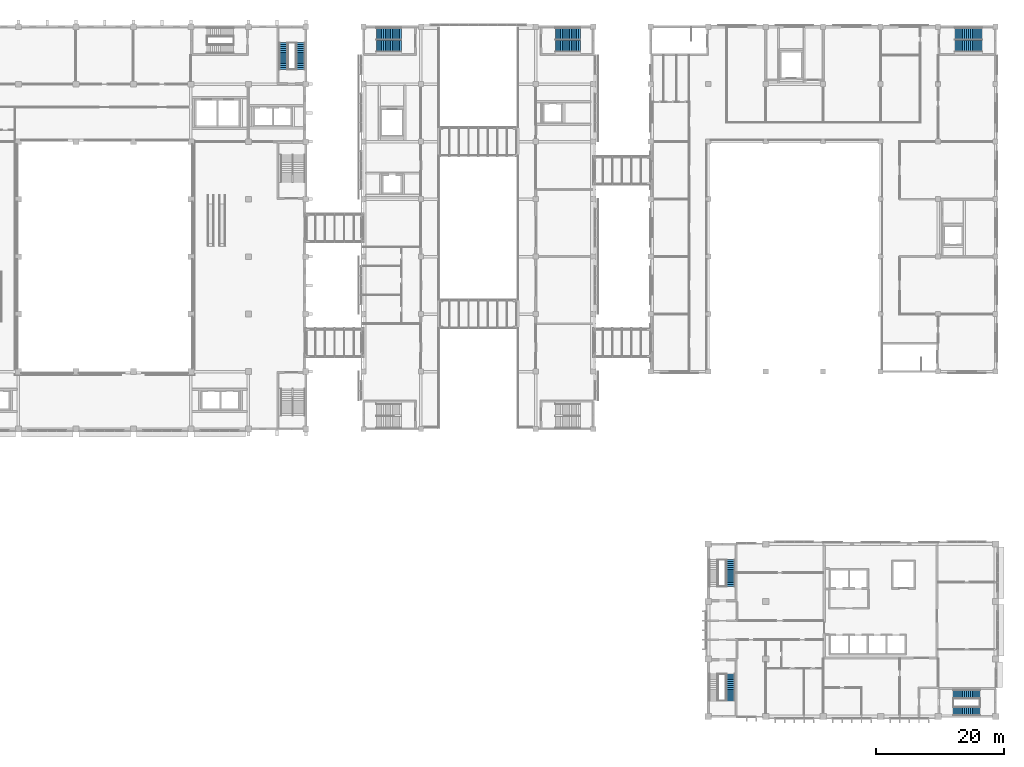
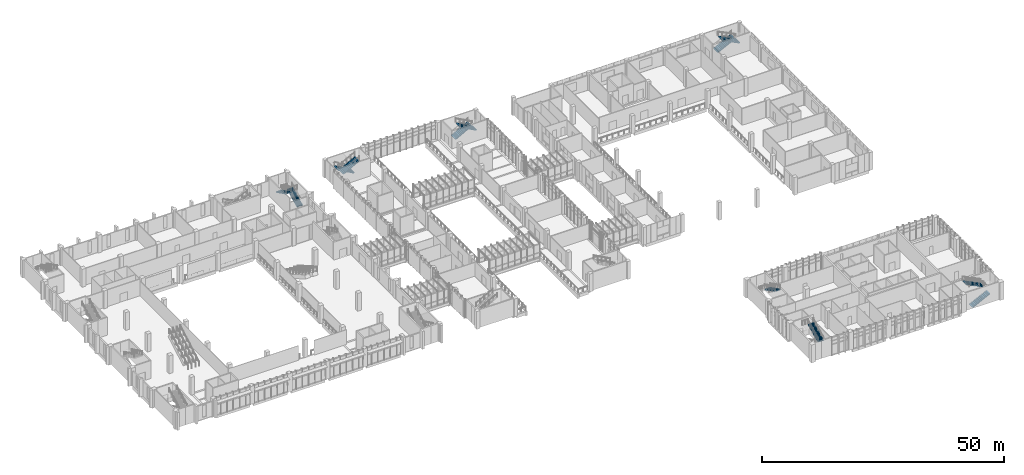
# One storey, part 70 of 88: 12 stair flights, 7 elements without a shape of their own.
"""IFC4 building model written with IfcOpenShell, lengths in metres."""

import ifcopenshell
import ifcopenshell.guid

model = None  # the IFC model being written
_history = None  # IfcOwnerHistory: only IFC2X3 demands one
_inside = {}  # id of a spatial element -> (the spatial element, [elements in it])
_under = {}  # id of a project, library or spatial element -> (it, [spatial elements below it])
_declared = {}  # id of a project -> (the project, [libraries it declares])
_typed = {}  # id of a type object -> (the type object, [elements of that type])
_made_of = {}  # id of a material, layer set ... -> (it, [elements and type objects made of it])


def new_model(schema):
    """Start an empty IFC model of exactly this schema.

    Asked for "IFC4X3", IfcOpenShell would pick the latest addendum, in which some entities
    have other attributes; the version numbers below select the first issue.
    IFC2X3 requires an IfcOwnerHistory on every rooted entity: one is made here for all.
    """
    global model, _history
    if schema == "IFC4X3":
        model = ifcopenshell.file(schema_version=(4, 3, 0, 0))
    else:
        model = ifcopenshell.file(schema=schema)
    _inside.clear()
    _under.clear()
    _declared.clear()
    _typed.clear()
    _made_of.clear()
    _history = None
    if model.schema == "IFC2X3":
        org = make("IfcOrganization", Name="unknown")
        user = make(
            "IfcPersonAndOrganization",
            ThePerson=make("IfcPerson", FamilyName="unknown"),
            TheOrganization=org,
        )
        app = make(
            "IfcApplication",
            ApplicationDeveloper=org,
            Version="unknown",
            ApplicationFullName="unknown",
            ApplicationIdentifier="unknown",
        )
        _history = make(
            "IfcOwnerHistory",
            OwningUser=user,
            OwningApplication=app,
            ChangeAction="ADDED",
            CreationDate=0,
        )
    return model


def make(cls, **values):
    """One entity of the class cls with the attributes given. An attribute that is None is left unset."""
    return model.create_entity(
        cls, **{name: value for name, value in values.items() if value is not None}
    )


def rooted(cls, **values):
    """An entity with a GlobalId (a new one), such as an element, a storey or a relation."""
    return make(cls, GlobalId=ifcopenshell.guid.new(), OwnerHistory=_history, **values)


def si_unit(unit_type, name, prefix=None):
    """IfcSIUnit, for example si_unit("LENGTHUNIT", "METRE", prefix="MILLI")."""
    return make("IfcSIUnit", UnitType=unit_type, Prefix=prefix, Name=name)


def assignment(units):
    """IfcUnitAssignment: the units of a project."""
    return None if units is None else make("IfcUnitAssignment", Units=units)


def point(xyz):
    """IfcCartesianPoint."""
    return None if xyz is None else make("IfcCartesianPoint", Coordinates=xyz)


def direction(xyz):
    """IfcDirection."""
    return None if xyz is None else make("IfcDirection", DirectionRatios=xyz)


def frame(location, z_axis=None, x_axis=None):
    """IfcAxis2Placement3D, a coordinate frame: its origin and axes. An axis left out is left unset."""
    return make(
        "IfcAxis2Placement3D",
        Location=point(location),
        Axis=direction(z_axis),
        RefDirection=direction(x_axis),
    )


def origin():
    """The frame at (0, 0, 0) with its axes left unset."""
    return frame((0.0, 0.0, 0.0))


def place(relative_to, where):
    """IfcLocalPlacement: puts the frame where relative to a parent placement (None: the world)."""
    return make(
        "IfcLocalPlacement", PlacementRelTo=relative_to, RelativePlacement=where
    )


def context(
    kind, dimensions, precision=None, world=None, true_north=None, identifier=None
):
    """IfcGeometricRepresentationContext, for example the 3D "Model" context."""
    return make(
        "IfcGeometricRepresentationContext",
        ContextIdentifier=identifier,
        ContextType=kind,
        CoordinateSpaceDimension=dimensions,
        Precision=precision,
        WorldCoordinateSystem=world,
        TrueNorth=true_north,
    )


def subcontext(parent, identifier, kind, view, scale=None):
    """IfcGeometricRepresentationSubContext, for example "Body" below "Model"."""
    return make(
        "IfcGeometricRepresentationSubContext",
        ContextIdentifier=identifier,
        ContextType=kind,
        ParentContext=parent,
        TargetScale=scale,
        TargetView=view,
    )


def project(units=None, contexts=None):
    """IfcProject with its units and contexts."""
    return rooted(
        "IfcProject",
        Name="project",
        RepresentationContexts=contexts,
        UnitsInContext=assignment(units),
    )


def spatial(cls, under=None, at=None, **own):
    """A site, building, storey or space (cls), placed at a placement, below another one or the project."""
    s = rooted(cls, ObjectPlacement=at, **own)
    if under is not None:
        _under.setdefault(under.id(), (under, []))[1].append(s)
    return s


def polyline(points):
    """IfcPolyline through the points."""
    return make("IfcPolyline", Points=[point(p) for p in points])


def outline(outer, holes=None, kind="AREA"):
    """IfcArbitraryClosedProfileDef: a profile drawn as a closed curve; with holes, ...WithVoids."""
    if holes is None:
        return make("IfcArbitraryClosedProfileDef", ProfileType=kind, OuterCurve=outer)
    return make(
        "IfcArbitraryProfileDefWithVoids",
        ProfileType=kind,
        OuterCurve=outer,
        InnerCurves=holes,
    )


def extrude(swept, where, along, depth):
    """IfcExtrudedAreaSolid: the profile swept, set in the frame where, extruded along a direction by depth."""
    return make(
        "IfcExtrudedAreaSolid",
        SweptArea=swept,
        Position=where,
        ExtrudedDirection=direction(along),
        Depth=depth,
    )


def shape(context_of_items, identifier, shape_type, items):
    """IfcShapeRepresentation: the items that make up one representation, for example the "Body"."""
    return make(
        "IfcShapeRepresentation",
        ContextOfItems=context_of_items,
        RepresentationIdentifier=identifier,
        RepresentationType=shape_type,
        Items=items,
    )


def material(Name=None, Category=None):
    """IfcMaterial."""
    return make("IfcMaterial", Name=Name, Category=Category)


def made_of(thing, what):
    """Note that an element or type object is made of a material, layer set ...; save() writes the relation."""
    if what is not None:
        _made_of.setdefault(what.id(), (what, []))[1].append(thing)
    return thing


def type_object(cls, material=None, **own):
    """A type object (cls), such as IfcWallType, which elements share."""
    return made_of(rooted(cls, **own), material)


def element(
    cls,
    number,
    at=None,
    inside=None,
    cuts=None,
    type_object=None,
    material=None,
    context=None,
    identifier="Body",
    shape_type=None,
    held_by="IfcProductDefinitionShape",
    body=None,
    shapes=None,
    **own,
):
    """One element of the class cls, such as IfcWall. Its Tag is "e" and its number.

    at: its placement. inside: the storey or other place that contains it. cuts: it is an
    opening in that element (IfcRelVoidsElement). A single representation is given by context,
    identifier, shape_type and body (its items); several are given by shapes. held_by: the class
    of the entity that holds the representations. save() writes the other relations.
    """
    e = rooted(cls, Tag="e%d" % number, ObjectPlacement=at, **own)
    if body is not None:
        shapes = [shape(context, identifier, shape_type, body)]
    if shapes is not None:
        e.Representation = make(held_by, Representations=shapes)
    if inside is not None:
        _inside.setdefault(inside.id(), (inside, []))[1].append(e)
    if cuts is not None:
        rooted(
            "IfcRelVoidsElement", RelatingBuildingElement=cuts, RelatedOpeningElement=e
        )
    if type_object is not None:
        _typed.setdefault(type_object.id(), (type_object, []))[1].append(e)
    return made_of(e, material)


def aggregate(whole, parts):
    """IfcRelAggregates: a whole, such as a stair, and the parts it consists of."""
    return rooted("IfcRelAggregates", RelatingObject=whole, RelatedObjects=parts)


def save(model, path):
    """Write the relations noted so far, then the file.

    IfcRelAggregates (storeys below a building ...), IfcRelContainedInSpatialStructure (elements
    in a storey), IfcRelDefinesByType, IfcRelAssociatesMaterial and IfcRelDeclares: one each for
    every whole, place, type object, material and project.
    """
    for whole, parts in _under.values():
        aggregate(whole, parts)
    for where, things in _inside.values():
        rooted(
            "IfcRelContainedInSpatialStructure",
            RelatedElements=things,
            RelatingStructure=where,
        )
    for kind, things in _typed.values():
        rooted("IfcRelDefinesByType", RelatedObjects=things, RelatingType=kind)
    for what, things in _made_of.values():
        rooted("IfcRelAssociatesMaterial", RelatedObjects=things, RelatingMaterial=what)
    for by, libraries in _declared.values():
        rooted("IfcRelDeclares", RelatingContext=by, RelatedDefinitions=libraries)
    model.write(path)


model = new_model("IFC4")

# Units and contexts
model_context = context("Model", 3, precision=1e-05, world=origin(), true_north=direction((0.0, 1.0)))
body_context = subcontext(model_context, "Body", "Model", "MODEL_VIEW")
ifc_project = project(units=[si_unit("LENGTHUNIT", "METRE"), si_unit("AREAUNIT", "SQUARE_METRE"), si_unit("VOLUMEUNIT", "CUBIC_METRE"), si_unit("PLANEANGLEUNIT", "RADIAN"), si_unit("MASSUNIT", "GRAM", prefix="KILO")], contexts=[model_context])

# Site, building, storey
site_placement = place(None, origin())
site = spatial("IfcSite", under=ifc_project, at=site_placement, CompositionType="ELEMENT")
building_placement = place(site_placement, origin())
building = spatial("IfcBuilding", under=site, at=building_placement, Name="Guidao Yard Department Store", CompositionType="ELEMENT")
storey_placement = place(building_placement, frame((0.0, 0.0, 6.0)))
storey = spatial("IfcBuildingStorey", under=building, at=storey_placement, Name="L01", CompositionType="ELEMENT", Elevation=6.0)

# Stair, stair flights
ifc_material_1 = material(Name="Concrete C35", Category="concrete")
stair_type_1 = type_object("IfcStairType", Name="Stair half-turn two-flight 1400 wide 4.5 m rise", PredefinedType="HALF_TURN_STAIR", material=ifc_material_1)
stair_1_placement = place(storey_placement, origin())
stair_1 = element("IfcStair", 1, at=stair_1_placement, inside=storey, type_object=stair_type_1, Name="Stair A6 L01 to L02", PredefinedType="HALF_TURN_STAIR")
ifc_material_2 = material(Name="Concrete C35", Category="concrete")
stair_flight_type_1 = type_object("IfcStairFlightType", Name="Stair flight RC straight 1400 wide 15 risers x 300 going C35", PredefinedType="STRAIGHT", material=ifc_material_2)
stair_flight_1_placement = place(storey_placement, frame((62.175048828125, 101.300048828125, 0.0), z_axis=(0.0, 0.0, 1.0), x_axis=(0.0, 1.0, 0.0)))
stair_flight_1 = element("IfcStairFlight", 2, at=stair_flight_1_placement, type_object=stair_flight_type_1, Name="SA6-L01 flight 1", NumberOfRisers=15, NumberOfTreads=14, PredefinedType="STRAIGHT", RiserHeight=0.15, TreadLength=0.3, context=body_context, shape_type="SweptSolid", body=[
    extrude(outline(polyline([(0.0, 0.0), (0.0, 0.14990234375), (0.300048828125, 0.14990234375), (0.300048828125, 0.300048828125), (0.60009765625, 0.300048828125), (0.60009765625, 0.449951171875), (0.89990234375, 0.449951171875), (0.89990234375, 0.60009765625), (1.199951171875, 0.60009765625), (1.199951171875, 0.75), (1.5, 0.75), (1.5, 0.89990234375), (1.800048828125, 0.89990234375), (1.800048828125, 1.050048828125), (2.10009765625, 1.050048828125), (2.10009765625, 1.199951171875), (2.39990234375, 1.199951171875), (2.39990234375, 1.35009765625), (2.699951171875, 1.35009765625), (2.699951171875, 1.5), (3.0, 1.5), (3.0, 1.64990234375), (3.300048828125, 1.64990234375), (3.300048828125, 1.800048828125), (3.60009765625, 1.800048828125), (3.60009765625, 1.949951171875), (3.89990234375, 1.949951171875), (3.89990234375, 2.10009765625), (4.199951171875, 2.10009765625), (4.199951171875, 2.25), (4.199951171875, 1.932373046875), (0.335205078125, 0.0), (0.0, 0.0)])), frame((0.0, 0.699951171875, 0.0), z_axis=(0.0, -1.0, 0.0), x_axis=(1.0, 0.0, 0.0)), (0.0, 0.0, 1.0), 1.39990234375),
])
stair_flight_2_placement = place(storey_placement, frame((59.5, 105.5, 2.25), z_axis=(0.0, 0.0, 1.0), x_axis=(0.0, -1.0, 0.0)))
stair_flight_2 = element("IfcStairFlight", 3, at=stair_flight_2_placement, type_object=stair_flight_type_1, Name="SA6-L01 flight 2", NumberOfRisers=15, NumberOfTreads=14, PredefinedType="STRAIGHT", RiserHeight=0.15, TreadLength=0.3, context=body_context, shape_type="SweptSolid", body=[
    extrude(outline(polyline([(0.0, 0.0), (0.0, 0.14990234375), (0.300048828125, 0.14990234375), (0.300048828125, 0.300048828125), (0.60009765625, 0.300048828125), (0.60009765625, 0.449951171875), (0.89990234375, 0.449951171875), (0.89990234375, 0.60009765625), (1.199951171875, 0.60009765625), (1.199951171875, 0.75), (1.5, 0.75), (1.5, 0.89990234375), (1.800048828125, 0.89990234375), (1.800048828125, 1.050048828125), (2.10009765625, 1.050048828125), (2.10009765625, 1.199951171875), (2.39990234375, 1.199951171875), (2.39990234375, 1.35009765625), (2.699951171875, 1.35009765625), (2.699951171875, 1.5), (3.0, 1.5), (3.0, 1.64990234375), (3.300048828125, 1.64990234375), (3.300048828125, 1.800048828125), (3.60009765625, 1.800048828125), (3.60009765625, 1.949951171875), (3.89990234375, 1.949951171875), (3.89990234375, 2.10009765625), (4.199951171875, 2.10009765625), (4.199951171875, 2.25), (4.199951171875, 1.932373046875), (0.335205078125, 0.0), (0.0, 0.0)])), frame((0.0, 0.699951171875, 0.0), z_axis=(0.0, -1.0, 0.0), x_axis=(1.0, 0.0, 0.0)), (0.0, 0.0, 1.0), 1.39990234375),
])
aggregate(stair_1, [stair_flight_1, stair_flight_2])

# Stair, stair flight
stair_2_placement = place(storey_placement, origin())
stair_2 = element("IfcStair", 4, at=stair_2_placement, inside=storey, type_object=stair_type_1, Name="Stair O1 L01 to L02", PredefinedType="HALF_TURN_STAIR")
stair_flight_3_placement = place(storey_placement, frame((129.5, 2.449951171875, 2.25), z_axis=(0.0, 0.0, 1.0), x_axis=(0.0, 1.0, 0.0)))
stair_flight_3 = element("IfcStairFlight", 5, at=stair_flight_3_placement, type_object=stair_flight_type_1, Name="SO1-L01 flight 2", NumberOfRisers=15, NumberOfTreads=14, PredefinedType="STRAIGHT", RiserHeight=0.15, TreadLength=0.3, context=body_context, shape_type="SweptSolid", body=[
    extrude(outline(polyline([(0.0, 0.0), (0.0, 0.14990234375), (0.300048828125, 0.14990234375), (0.300048828125, 0.300048828125), (0.60009765625, 0.300048828125), (0.60009765625, 0.449951171875), (0.89990234375, 0.449951171875), (0.89990234375, 0.60009765625), (1.199951171875, 0.60009765625), (1.199951171875, 0.75), (1.5, 0.75), (1.5, 0.89990234375), (1.800048828125, 0.89990234375), (1.800048828125, 1.050048828125), (2.10009765625, 1.050048828125), (2.10009765625, 1.199951171875), (2.39990234375, 1.199951171875), (2.39990234375, 1.35009765625), (2.699951171875, 1.35009765625), (2.699951171875, 1.5), (3.0, 1.5), (3.0, 1.64990234375), (3.300048828125, 1.64990234375), (3.300048828125, 1.800048828125), (3.60009765625, 1.800048828125), (3.60009765625, 1.949951171875), (3.89990234375, 1.949951171875), (3.89990234375, 2.10009765625), (4.199951171875, 2.10009765625), (4.199951171875, 2.25), (4.199951171875, 1.932373046875), (0.335205078125, 0.0), (0.0, 0.0)])), frame((0.0, 0.699951171875, 0.0), z_axis=(0.0, -1.0, 0.0), x_axis=(1.0, 0.0, 0.0)), (0.0, 0.0, 1.0), 1.39990234375),
])
aggregate(stair_2, [stair_flight_3])

# Stair, stair flights
stair_3_placement = place(storey_placement, origin())
stair_3 = element("IfcStair", 6, at=stair_3_placement, inside=storey, type_object=stair_type_1, Name="Stair O2 L01 to L02", PredefinedType="HALF_TURN_STAIR")
stair_flight_4_placement = place(storey_placement, frame((164.35009765625, 0.824951171875, 0.0), z_axis=(0.0, 0.0, 1.0), x_axis=(1.0, 0.0, 0.0)))
stair_flight_4 = element("IfcStairFlight", 7, at=stair_flight_4_placement, type_object=stair_flight_type_1, Name="SO2-L01 flight 1", NumberOfRisers=15, NumberOfTreads=14, PredefinedType="STRAIGHT", RiserHeight=0.15, TreadLength=0.3, context=body_context, shape_type="SweptSolid", body=[
    extrude(outline(polyline([(0.0, 0.0), (0.0, 0.14990234375), (0.300048828125, 0.14990234375), (0.300048828125, 0.300048828125), (0.60009765625, 0.300048828125), (0.60009765625, 0.449951171875), (0.89990234375, 0.449951171875), (0.89990234375, 0.60009765625), (1.199951171875, 0.60009765625), (1.199951171875, 0.75), (1.5, 0.75), (1.5, 0.89990234375), (1.800048828125, 0.89990234375), (1.800048828125, 1.050048828125), (2.10009765625, 1.050048828125), (2.10009765625, 1.199951171875), (2.39990234375, 1.199951171875), (2.39990234375, 1.35009765625), (2.699951171875, 1.35009765625), (2.699951171875, 1.5), (3.0, 1.5), (3.0, 1.64990234375), (3.300048828125, 1.64990234375), (3.300048828125, 1.800048828125), (3.60009765625, 1.800048828125), (3.60009765625, 1.949951171875), (3.89990234375, 1.949951171875), (3.89990234375, 2.10009765625), (4.199951171875, 2.10009765625), (4.199951171875, 2.25), (4.199951171875, 1.932373046875), (0.335205078125, 0.0), (0.0, 0.0)])), frame((0.0, 0.699951171875, 0.0), z_axis=(0.0, -1.0, 0.0), x_axis=(1.0, 0.0, 0.0)), (0.0, 0.0, 1.0), 1.39990234375),
])
stair_flight_5_placement = place(storey_placement, frame((168.550048828125, 3.5, 2.25), z_axis=(0.0, 0.0, 1.0), x_axis=(-1.0, 0.0, 0.0)))
stair_flight_5 = element("IfcStairFlight", 8, at=stair_flight_5_placement, type_object=stair_flight_type_1, Name="SO2-L01 flight 2", NumberOfRisers=15, NumberOfTreads=14, PredefinedType="STRAIGHT", RiserHeight=0.15, TreadLength=0.3, context=body_context, shape_type="SweptSolid", body=[
    extrude(outline(polyline([(0.0, 0.0), (0.0, 0.14990234375), (0.300048828125, 0.14990234375), (0.300048828125, 0.300048828125), (0.60009765625, 0.300048828125), (0.60009765625, 0.449951171875), (0.89990234375, 0.449951171875), (0.89990234375, 0.60009765625), (1.199951171875, 0.60009765625), (1.199951171875, 0.75), (1.5, 0.75), (1.5, 0.89990234375), (1.800048828125, 0.89990234375), (1.800048828125, 1.050048828125), (2.10009765625, 1.050048828125), (2.10009765625, 1.199951171875), (2.39990234375, 1.199951171875), (2.39990234375, 1.35009765625), (2.699951171875, 1.35009765625), (2.699951171875, 1.5), (3.0, 1.5), (3.0, 1.64990234375), (3.300048828125, 1.64990234375), (3.300048828125, 1.800048828125), (3.60009765625, 1.800048828125), (3.60009765625, 1.949951171875), (3.89990234375, 1.949951171875), (3.89990234375, 2.10009765625), (4.199951171875, 2.10009765625), (4.199951171875, 2.25), (4.199951171875, 1.932373046875), (0.335205078125, 0.0), (0.0, 0.0)])), frame((0.0, 0.699951171875, 0.0), z_axis=(0.0, -1.0, 0.0), x_axis=(1.0, 0.0, 0.0)), (0.0, 0.0, 1.0), 1.39990234375),
])
aggregate(stair_3, [stair_flight_4, stair_flight_5])

# Stair, stair flight
stair_4_placement = place(storey_placement, origin())
stair_4 = element("IfcStair", 9, at=stair_4_placement, inside=storey, type_object=stair_type_1, Name="Stair O3 L01 to L02", PredefinedType="HALF_TURN_STAIR")
stair_flight_6_placement = place(storey_placement, frame((129.5, 24.550048828125, 2.25), z_axis=(0.0, 0.0, 1.0), x_axis=(0.0, -1.0, 0.0)))
stair_flight_6 = element("IfcStairFlight", 10, at=stair_flight_6_placement, type_object=stair_flight_type_1, Name="SO3-L01 flight 2", NumberOfRisers=15, NumberOfTreads=14, PredefinedType="STRAIGHT", RiserHeight=0.15, TreadLength=0.3, context=body_context, shape_type="SweptSolid", body=[
    extrude(outline(polyline([(0.0, 0.0), (0.0, 0.14990234375), (0.300048828125, 0.14990234375), (0.300048828125, 0.300048828125), (0.60009765625, 0.300048828125), (0.60009765625, 0.449951171875), (0.89990234375, 0.449951171875), (0.89990234375, 0.60009765625), (1.199951171875, 0.60009765625), (1.199951171875, 0.75), (1.5, 0.75), (1.5, 0.89990234375), (1.800048828125, 0.89990234375), (1.800048828125, 1.050048828125), (2.10009765625, 1.050048828125), (2.10009765625, 1.199951171875), (2.39990234375, 1.199951171875), (2.39990234375, 1.35009765625), (2.699951171875, 1.35009765625), (2.699951171875, 1.5), (3.0, 1.5), (3.0, 1.64990234375), (3.300048828125, 1.64990234375), (3.300048828125, 1.800048828125), (3.60009765625, 1.800048828125), (3.60009765625, 1.949951171875), (3.89990234375, 1.949951171875), (3.89990234375, 2.10009765625), (4.199951171875, 2.10009765625), (4.199951171875, 2.25), (4.199951171875, 1.932373046875), (0.335205078125, 0.0), (0.0, 0.0)])), frame((0.0, 0.699951171875, 0.0), z_axis=(0.0, -1.0, 0.0), x_axis=(1.0, 0.0, 0.0)), (0.0, 0.0, 1.0), 1.39990234375),
])
aggregate(stair_4, [stair_flight_6])

# Stair, stair flights
ifc_material_3 = material(Name="Concrete C35", Category="concrete")
stair_type_2 = type_object("IfcStairType", Name="Stair half-turn two-flight 1800 wide 4.5 m rise", PredefinedType="HALF_TURN_STAIR", material=ifc_material_3)
stair_5_placement = place(storey_placement, origin())
stair_5 = element("IfcStair", 11, at=stair_5_placement, inside=storey, type_object=stair_type_2, Name="Stair G2 L01 to L02", PredefinedType="HALF_TURN_STAIR")
ifc_material_4 = material(Name="Concrete C35", Category="concrete")
stair_flight_type_2 = type_object("IfcStairFlightType", Name="Stair flight RC straight 1800 wide 15 risers x 280 going C35", PredefinedType="STRAIGHT", material=ifc_material_4)
stair_flight_7_placement = place(storey_placement, frame((77.949951171875, 106.97509765625, 0.0), z_axis=(0.0, 0.0, 1.0), x_axis=(-1.0, 0.0, 0.0)))
stair_flight_7 = element("IfcStairFlight", 12, at=stair_flight_7_placement, type_object=stair_flight_type_2, Name="SG2-L01 flight 1", NumberOfRisers=15, NumberOfTreads=14, PredefinedType="STRAIGHT", RiserHeight=0.15, TreadLength=0.28, context=body_context, shape_type="SweptSolid", body=[
    extrude(outline(polyline([(0.0, 0.0), (0.0, 0.14990234375), (0.280029296875, 0.14990234375), (0.280029296875, 0.300048828125), (0.56005859375, 0.300048828125), (0.56005859375, 0.449951171875), (0.840087890625, 0.449951171875), (0.840087890625, 0.60009765625), (1.1201171875, 0.60009765625), (1.1201171875, 0.75), (1.39990234375, 0.75), (1.39990234375, 0.89990234375), (1.679931640625, 0.89990234375), (1.679931640625, 1.050048828125), (1.9599609375, 1.050048828125), (1.9599609375, 1.199951171875), (2.239990234375, 1.199951171875), (2.239990234375, 1.35009765625), (2.52001953125, 1.35009765625), (2.52001953125, 1.5), (2.800048828125, 1.5), (2.800048828125, 1.64990234375), (3.080078125, 1.64990234375), (3.080078125, 1.800048828125), (3.360107421875, 1.800048828125), (3.360107421875, 1.949951171875), (3.639892578125, 1.949951171875), (3.639892578125, 2.10009765625), (3.919921875, 2.10009765625), (3.919921875, 2.25), (3.919921875, 1.929931640625), (0.3173828125, 0.0), (0.0, 0.0)])), frame((0.0, 0.89990234375, 0.0), z_axis=(0.0, -1.0, 0.0), x_axis=(1.0, 0.0, 0.0)), (0.0, 0.0, 1.0), 1.800048828125),
])
stair_flight_8_placement = place(storey_placement, frame((74.030029296875, 104.925048828125, 2.25), z_axis=(0.0, 0.0, 1.0), x_axis=(1.0, 0.0, 0.0)))
stair_flight_8 = element("IfcStairFlight", 13, at=stair_flight_8_placement, type_object=stair_flight_type_2, Name="SG2-L01 flight 2", NumberOfRisers=15, NumberOfTreads=14, PredefinedType="STRAIGHT", RiserHeight=0.15, TreadLength=0.28, context=body_context, shape_type="SweptSolid", body=[
    extrude(outline(polyline([(0.0, 0.0), (0.0, 0.14990234375), (0.280029296875, 0.14990234375), (0.280029296875, 0.300048828125), (0.56005859375, 0.300048828125), (0.56005859375, 0.449951171875), (0.840087890625, 0.449951171875), (0.840087890625, 0.60009765625), (1.1201171875, 0.60009765625), (1.1201171875, 0.75), (1.39990234375, 0.75), (1.39990234375, 0.89990234375), (1.679931640625, 0.89990234375), (1.679931640625, 1.050048828125), (1.9599609375, 1.050048828125), (1.9599609375, 1.199951171875), (2.239990234375, 1.199951171875), (2.239990234375, 1.35009765625), (2.52001953125, 1.35009765625), (2.52001953125, 1.5), (2.800048828125, 1.5), (2.800048828125, 1.64990234375), (3.080078125, 1.64990234375), (3.080078125, 1.800048828125), (3.360107421875, 1.800048828125), (3.360107421875, 1.949951171875), (3.639892578125, 1.949951171875), (3.639892578125, 2.10009765625), (3.919921875, 2.10009765625), (3.919921875, 2.25), (3.919921875, 1.929931640625), (0.3173828125, 0.0), (0.0, 0.0)])), frame((0.0, 0.89990234375, 0.0), z_axis=(0.0, -1.0, 0.0), x_axis=(1.0, 0.0, 0.0)), (0.0, 0.0, 1.0), 1.800048828125),
])
aggregate(stair_5, [stair_flight_7, stair_flight_8])

stair_6_placement = place(storey_placement, origin())
stair_6 = element("IfcStair", 14, at=stair_6_placement, inside=storey, type_object=stair_type_2, Name="Stair G4 L01 to L02", PredefinedType="HALF_TURN_STAIR")
stair_flight_9_placement = place(storey_placement, frame((102.050048828125, 106.97509765625, 0.0), z_axis=(0.0, 0.0, 1.0), x_axis=(1.0, 0.0, 0.0)))
stair_flight_9 = element("IfcStairFlight", 15, at=stair_flight_9_placement, type_object=stair_flight_type_2, Name="SG4-L01 flight 1", NumberOfRisers=15, NumberOfTreads=14, PredefinedType="STRAIGHT", RiserHeight=0.15, TreadLength=0.28, context=body_context, shape_type="SweptSolid", body=[
    extrude(outline(polyline([(0.0, 0.0), (0.0, 0.14990234375), (0.280029296875, 0.14990234375), (0.280029296875, 0.300048828125), (0.56005859375, 0.300048828125), (0.56005859375, 0.449951171875), (0.840087890625, 0.449951171875), (0.840087890625, 0.60009765625), (1.1201171875, 0.60009765625), (1.1201171875, 0.75), (1.39990234375, 0.75), (1.39990234375, 0.89990234375), (1.679931640625, 0.89990234375), (1.679931640625, 1.050048828125), (1.9599609375, 1.050048828125), (1.9599609375, 1.199951171875), (2.239990234375, 1.199951171875), (2.239990234375, 1.35009765625), (2.52001953125, 1.35009765625), (2.52001953125, 1.5), (2.800048828125, 1.5), (2.800048828125, 1.64990234375), (3.080078125, 1.64990234375), (3.080078125, 1.800048828125), (3.360107421875, 1.800048828125), (3.360107421875, 1.949951171875), (3.639892578125, 1.949951171875), (3.639892578125, 2.10009765625), (3.919921875, 2.10009765625), (3.919921875, 2.25), (3.919921875, 1.929931640625), (0.3173828125, 0.0), (0.0, 0.0)])), frame((0.0, 0.89990234375, 0.0), z_axis=(0.0, -1.0, 0.0), x_axis=(1.0, 0.0, 0.0)), (0.0, 0.0, 1.0), 1.800048828125),
])
stair_flight_10_placement = place(storey_placement, frame((105.969970703125, 104.925048828125, 2.25), z_axis=(0.0, 0.0, 1.0), x_axis=(-1.0, 0.0, 0.0)))
stair_flight_10 = element("IfcStairFlight", 16, at=stair_flight_10_placement, type_object=stair_flight_type_2, Name="SG4-L01 flight 2", NumberOfRisers=15, NumberOfTreads=14, PredefinedType="STRAIGHT", RiserHeight=0.15, TreadLength=0.28, context=body_context, shape_type="SweptSolid", body=[
    extrude(outline(polyline([(0.0, 0.0), (0.0, 0.14990234375), (0.280029296875, 0.14990234375), (0.280029296875, 0.300048828125), (0.56005859375, 0.300048828125), (0.56005859375, 0.449951171875), (0.840087890625, 0.449951171875), (0.840087890625, 0.60009765625), (1.1201171875, 0.60009765625), (1.1201171875, 0.75), (1.39990234375, 0.75), (1.39990234375, 0.89990234375), (1.679931640625, 0.89990234375), (1.679931640625, 1.050048828125), (1.9599609375, 1.050048828125), (1.9599609375, 1.199951171875), (2.239990234375, 1.199951171875), (2.239990234375, 1.35009765625), (2.52001953125, 1.35009765625), (2.52001953125, 1.5), (2.800048828125, 1.5), (2.800048828125, 1.64990234375), (3.080078125, 1.64990234375), (3.080078125, 1.800048828125), (3.360107421875, 1.800048828125), (3.360107421875, 1.949951171875), (3.639892578125, 1.949951171875), (3.639892578125, 2.10009765625), (3.919921875, 2.10009765625), (3.919921875, 2.25), (3.919921875, 1.929931640625), (0.3173828125, 0.0), (0.0, 0.0)])), frame((0.0, 0.89990234375, 0.0), z_axis=(0.0, -1.0, 0.0), x_axis=(1.0, 0.0, 0.0)), (0.0, 0.0, 1.0), 1.800048828125),
])
aggregate(stair_6, [stair_flight_9, stair_flight_10])

stair_7_placement = place(storey_placement, origin())
stair_7 = element("IfcStair", 17, at=stair_7_placement, inside=storey, type_object=stair_type_2, Name="Stair F2 L01 to L02", PredefinedType="HALF_TURN_STAIR")
ifc_material_5 = material(Name="Concrete C35", Category="concrete")
stair_flight_type_3 = type_object("IfcStairFlightType", Name="Stair flight RC straight 1800 wide 15 risers x 300 going C35", PredefinedType="STRAIGHT", material=ifc_material_5)
stair_flight_11_placement = place(storey_placement, frame((164.64990234375, 106.97509765625, 0.0), z_axis=(0.0, 0.0, 1.0), x_axis=(1.0, 0.0, 0.0)))
stair_flight_11 = element("IfcStairFlight", 18, at=stair_flight_11_placement, type_object=stair_flight_type_3, Name="SF2-L01 flight 1", NumberOfRisers=15, NumberOfTreads=14, PredefinedType="STRAIGHT", RiserHeight=0.15, TreadLength=0.3, context=body_context, shape_type="SweptSolid", body=[
    extrude(outline(polyline([(0.0, 0.0), (0.0, 0.14990234375), (0.300048828125, 0.14990234375), (0.300048828125, 0.300048828125), (0.60009765625, 0.300048828125), (0.60009765625, 0.449951171875), (0.89990234375, 0.449951171875), (0.89990234375, 0.60009765625), (1.199951171875, 0.60009765625), (1.199951171875, 0.75), (1.5, 0.75), (1.5, 0.89990234375), (1.800048828125, 0.89990234375), (1.800048828125, 1.050048828125), (2.10009765625, 1.050048828125), (2.10009765625, 1.199951171875), (2.39990234375, 1.199951171875), (2.39990234375, 1.35009765625), (2.699951171875, 1.35009765625), (2.699951171875, 1.5), (3.0, 1.5), (3.0, 1.64990234375), (3.300048828125, 1.64990234375), (3.300048828125, 1.800048828125), (3.60009765625, 1.800048828125), (3.60009765625, 1.949951171875), (3.89990234375, 1.949951171875), (3.89990234375, 2.10009765625), (4.199951171875, 2.10009765625), (4.199951171875, 2.25), (4.199951171875, 1.932373046875), (0.335205078125, 0.0), (0.0, 0.0)])), frame((0.0, 0.89990234375, 0.0), z_axis=(0.0, -1.0, 0.0), x_axis=(1.0, 0.0, 0.0)), (0.0, 0.0, 1.0), 1.800048828125),
])
stair_flight_12_placement = place(storey_placement, frame((168.85009765625, 104.925048828125, 2.25), z_axis=(0.0, 0.0, 1.0), x_axis=(-1.0, 0.0, 0.0)))
stair_flight_12 = element("IfcStairFlight", 19, at=stair_flight_12_placement, type_object=stair_flight_type_3, Name="SF2-L01 flight 2", NumberOfRisers=15, NumberOfTreads=14, PredefinedType="STRAIGHT", RiserHeight=0.15, TreadLength=0.3, context=body_context, shape_type="SweptSolid", body=[
    extrude(outline(polyline([(0.0, 0.0), (0.0, 0.14990234375), (0.300048828125, 0.14990234375), (0.300048828125, 0.300048828125), (0.60009765625, 0.300048828125), (0.60009765625, 0.449951171875), (0.89990234375, 0.449951171875), (0.89990234375, 0.60009765625), (1.199951171875, 0.60009765625), (1.199951171875, 0.75), (1.5, 0.75), (1.5, 0.89990234375), (1.800048828125, 0.89990234375), (1.800048828125, 1.050048828125), (2.10009765625, 1.050048828125), (2.10009765625, 1.199951171875), (2.39990234375, 1.199951171875), (2.39990234375, 1.35009765625), (2.699951171875, 1.35009765625), (2.699951171875, 1.5), (3.0, 1.5), (3.0, 1.64990234375), (3.300048828125, 1.64990234375), (3.300048828125, 1.800048828125), (3.60009765625, 1.800048828125), (3.60009765625, 1.949951171875), (3.89990234375, 1.949951171875), (3.89990234375, 2.10009765625), (4.199951171875, 2.10009765625), (4.199951171875, 2.25), (4.199951171875, 1.932373046875), (0.335205078125, 0.0), (0.0, 0.0)])), frame((0.0, 0.89990234375, 0.0), z_axis=(0.0, -1.0, 0.0), x_axis=(1.0, 0.0, 0.0)), (0.0, 0.0, 1.0), 1.800048828125),
])
aggregate(stair_7, [stair_flight_11, stair_flight_12])

save(model, "model.ifc")
